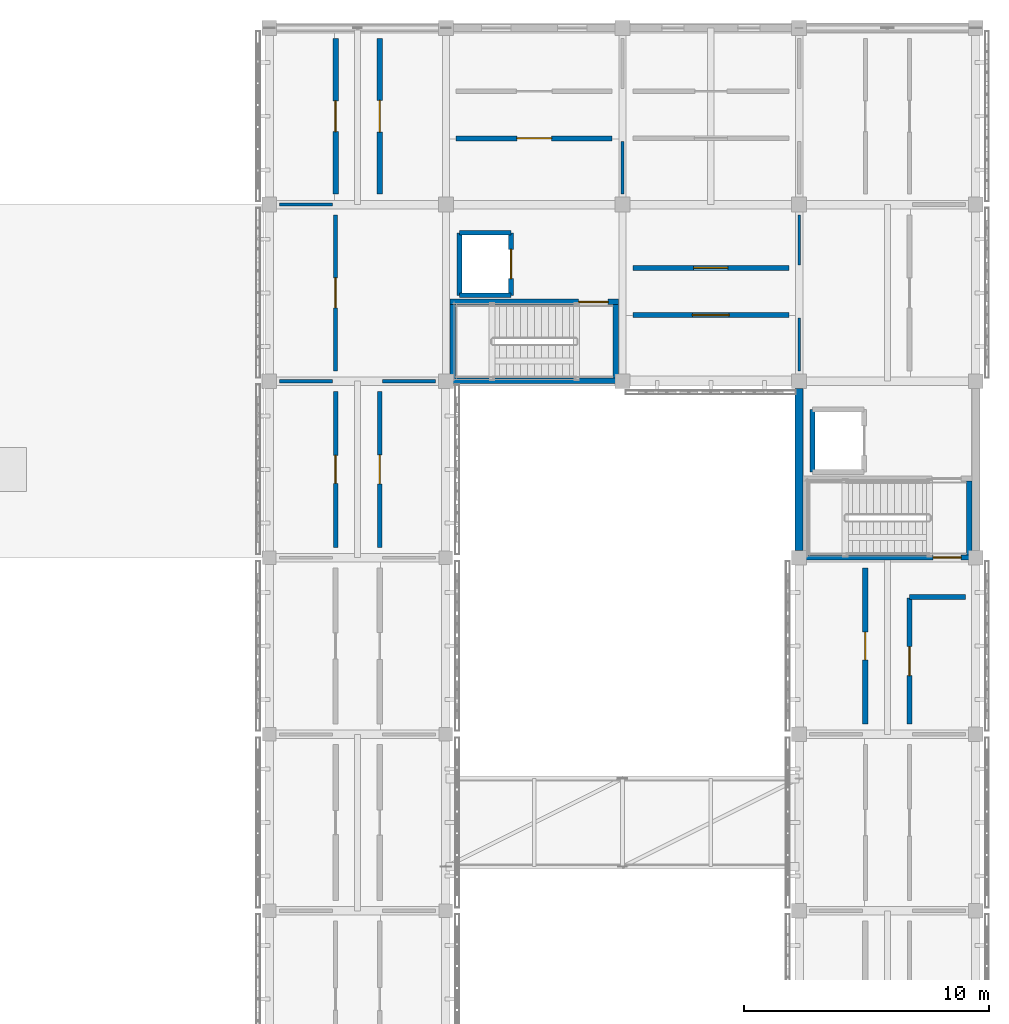
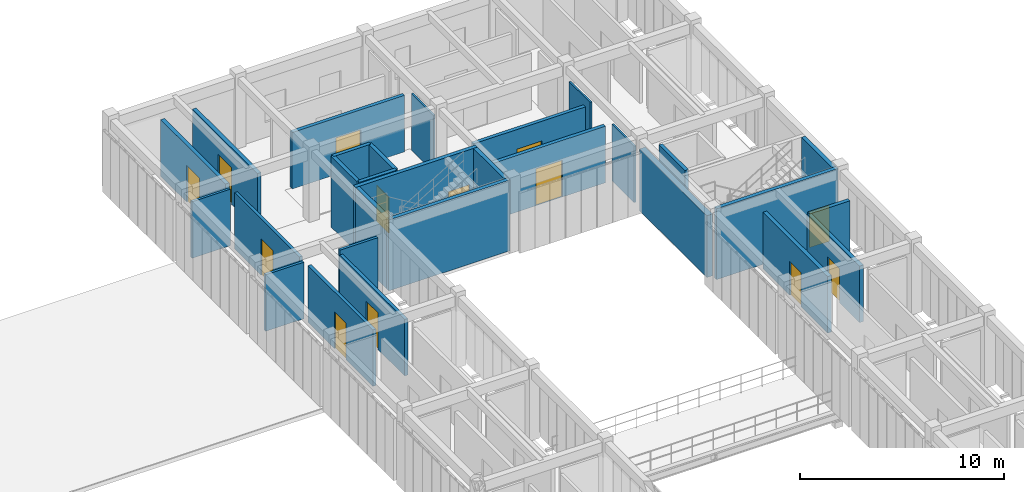
# One storey, part 80 of 91: 29 walls, 13 doors, 13 openings.
"""IFC4 building model written with IfcOpenShell, lengths in metres."""

from ifc_helpers import new_model, si_unit, direction, frame, frame_2d, origin, place, context, subcontext, project, spatial, rectangle, extrude, material, layer, layer_set, type_object, element, fill, save


model = new_model("IFC4")

# Units and contexts
model_context = context("Model", 3, precision=1e-05, world=origin(), true_north=direction((0.0, 1.0)))
body_context = subcontext(model_context, "Body", "Model", "MODEL_VIEW")
ifc_project = project(units=[si_unit("LENGTHUNIT", "METRE"), si_unit("AREAUNIT", "SQUARE_METRE"), si_unit("VOLUMEUNIT", "CUBIC_METRE"), si_unit("PLANEANGLEUNIT", "RADIAN"), si_unit("MASSUNIT", "GRAM", prefix="KILO")], contexts=[model_context])

# Site, building, storey
site_placement = place(None, origin())
site = spatial("IfcSite", under=ifc_project, at=site_placement, CompositionType="ELEMENT")
building_placement = place(site_placement, origin())
building = spatial("IfcBuilding", under=site, at=building_placement, Name="Aldebral Square Health Centre", CompositionType="ELEMENT")
storey_placement = place(building_placement, frame((0.0, 0.0, 9.0)))
storey = spatial("IfcBuildingStorey", under=building, at=storey_placement, Name="L02", CompositionType="ELEMENT", Elevation=9.0)

# Wall
ifc_material_1 = material(Name="Precast concrete C40/50 insulated panel", Category="concrete")
ifc_layer_1 = layer(ifc_material_1, 0.320068359375, Name="Precast concrete C40/50 insulated panel", Category="concrete")
ifc_layer_set_1 = layer_set([ifc_layer_1], Name="Precast concrete C40/50 insulated panel")
wall_type_1 = type_object("IfcWallType", Name="EW-PRE-320", PredefinedType="STANDARD", material=ifc_layer_set_1)
wall_1_placement = place(storey_placement, frame((158.39990234375, 100.5, 0.0), z_axis=(0.0, 0.0, 1.0), x_axis=(0.0, -1.0, 0.0)))
element("IfcWall", 1, at=wall_1_placement, inside=storey, type_object=wall_type_1, Name="L02 V5 exterior wall L02-V5-22-13-W", PredefinedType="STANDARD", context=body_context, shape_type="SweptSolid", body=[
    extrude(rectangle(XDim=6.60009765625, YDim=0.320068359375, at=frame_2d((3.300048828125, 0.0))), origin(), (0.0, 0.0, 1.0), 3.68994140625),
])

# Wall, opening, door
ifc_material_2 = material(Name="Concrete C35/45 compartment wall", Category="concrete")
ifc_layer_2 = layer(ifc_material_2, 0.199951171875, Name="Concrete C35/45 compartment wall", Category="concrete")
ifc_layer_set_2 = layer_set([ifc_layer_2], Name="Concrete C35/45 compartment wall")
wall_type_2 = type_object("IfcWallType", Name="IW-CMP-200", PredefinedType="SOLIDWALL", material=ifc_layer_set_2)
wall_2_placement = place(storey_placement, frame((144.419921875, 110.699951171875, 0.0), z_axis=(0.0, 0.0, 1.0), x_axis=(1.0, 0.0, 0.0)))
wall_2 = element("IfcWall", 2, at=wall_2_placement, inside=storey, type_object=wall_type_2, Name="L02 Ophthalmology Exam Suite 21.16S corridor wall", PredefinedType="SOLIDWALL", context=body_context, shape_type="SweptSolid", body=[
    extrude(rectangle(XDim=6.360107421875, YDim=0.199951171875, at=frame_2d((3.18017578125, 0.0))), origin(), (0.0, 0.0, 1.0), 3.3798828125),
])
opening_1_placement = place(wall_2_placement, frame((2.469970703125, 0.0, 0.0)))
opening_1 = element("IfcOpeningElement", 3, at=opening_1_placement, cuts=wall_2, Name="Opening D-0490", PredefinedType="OPENING", context=body_context, shape_type="SweptSolid", body=[
    extrude(rectangle(XDim=1.419921875, YDim=2.18994140625, at=frame_2d((0.7099609375, 1.094970703125))), frame((0.0, 0.10986328125, 0.0), z_axis=(0.0, -1.0, 0.0), x_axis=(1.0, 0.0, 0.0)), (0.0, 0.0, 1.0), 0.219970703125),
])
ifc_material_3 = material(Name="Clinical suite fire door")
door_type_1 = type_object("IfcDoorType", Name="ID-EXD-61", OperationType="NOTDEFINED", PredefinedType="DOOR", material=ifc_material_3)
door_1_placement = place(opening_1_placement, origin())
door_1 = element("IfcDoor", 4, at=door_1_placement, inside=storey, type_object=door_type_1, Name="L02 Ophthalmology Exam Suite 21.16S door", OperationType="SINGLE_SWING_LEFT", OverallHeight=2.18994140625, OverallWidth=1.419921875, PredefinedType="DOOR", context=body_context, shape_type="SweptSolid", body=[
    extrude(rectangle(XDim=1.419921875, YDim=2.18994140625, at=frame_2d((0.7099609375, 1.094970703125))), frame((0.0, 0.02490234375, 0.0), z_axis=(0.0, -1.0, 0.0), x_axis=(1.0, 0.0, 0.0)), (0.0, 0.0, 1.0), 0.050048828125),
])
fill(opening_1, door_1)

wall_3_placement = place(storey_placement, frame((151.6201171875, 105.419921875, 0.0), z_axis=(0.0, 0.0, 1.0), x_axis=(1.0, 0.0, 0.0)))
wall_3 = element("IfcWall", 5, at=wall_3_placement, inside=storey, type_object=wall_type_2, Name="L02 Specialist Clinic 22.15N corridor wall", PredefinedType="SOLIDWALL", context=body_context, shape_type="SweptSolid", body=[
    extrude(rectangle(XDim=6.35986328125, YDim=0.199951171875, at=frame_2d((3.179931640625, 0.0))), origin(), (0.0, 0.0, 1.0), 3.3798828125),
])
opening_2_placement = place(wall_3_placement, frame((2.47998046875, 0.0, 0.0)))
opening_2 = element("IfcOpeningElement", 6, at=opening_2_placement, cuts=wall_3, Name="Opening D-0495", PredefinedType="OPENING", context=body_context, shape_type="SweptSolid", body=[
    extrude(rectangle(XDim=1.39990234375, YDim=2.199951171875, at=frame_2d((0.699951171875, 1.10009765625))), frame((0.0, 0.10986328125, 0.0), z_axis=(0.0, -1.0, 0.0), x_axis=(1.0, 0.0, 0.0)), (0.0, 0.0, 1.0), 0.219970703125),
])
ifc_material_4 = material(Name="Surgical recovery fire door")
door_type_2 = type_object("IfcDoorType", Name="ID-OR-140", OperationType="NOTDEFINED", PredefinedType="DOOR", material=ifc_material_4)
door_2_placement = place(opening_2_placement, origin())
door_2 = element("IfcDoor", 7, at=door_2_placement, inside=storey, type_object=door_type_2, Name="L02 Specialist Clinic 22.15N door", OperationType="SINGLE_SWING_RIGHT", OverallHeight=2.199951171875, OverallWidth=1.39990234375, PredefinedType="DOOR", context=body_context, shape_type="SweptSolid", body=[
    extrude(rectangle(XDim=1.39990234375, YDim=2.199951171875, at=frame_2d((0.699951171875, 1.10009765625))), frame((0.0, 0.02490234375, 0.0), z_axis=(0.0, -1.0, 0.0), x_axis=(1.0, 0.0, 0.0)), (0.0, 0.0, 1.0), 0.050048828125),
])
fill(opening_2, door_2)

ifc_layer_3 = layer(ifc_material_2, 0.219970703125, Name="Concrete C35/45 compartment wall", Category="concrete")
ifc_layer_set_3 = layer_set([ifc_layer_3], Name="Concrete C35/45 compartment wall")
wall_type_3 = type_object("IfcWallType", Name="IW-CMP-220", PredefinedType="SOLIDWALL", material=ifc_layer_set_3)
wall_4_placement = place(storey_placement, frame((139.5, 108.419921875, 0.0), z_axis=(0.0, 0.0, 1.0), x_axis=(0.0, 1.0, 0.0)))
wall_4 = element("IfcWall", 8, at=wall_4_placement, inside=storey, type_object=wall_type_3, Name="L02 Orthopaedic Cast Clinic 20.16W corridor wall", PredefinedType="SOLIDWALL", context=body_context, shape_type="SweptSolid", body=[
    extrude(rectangle(XDim=6.360107421875, YDim=0.219970703125, at=frame_2d((3.18017578125, 0.0))), origin(), (0.0, 0.0, 1.0), 3.3798828125),
])
opening_3_placement = place(wall_4_placement, frame((2.550048828125, 0.0, 0.0)))
opening_3 = element("IfcOpeningElement", 9, at=opening_3_placement, cuts=wall_4, Name="Opening D-0486", PredefinedType="OPENING", context=body_context, shape_type="SweptSolid", body=[
    extrude(rectangle(XDim=1.260009765625, YDim=2.18994140625, at=frame_2d((0.6298828125, 1.094970703125))), frame((0.0, 0.1201171875, 0.0), z_axis=(0.0, -1.0, 0.0), x_axis=(1.0, 0.0, 0.0)), (0.0, 0.0, 1.0), 0.239990234375),
])
door_type_3 = type_object("IfcDoorType", Name="ID-EXD-57", OperationType="NOTDEFINED", PredefinedType="DOOR", material=ifc_material_3)
door_3_placement = place(opening_3_placement, origin())
door_3 = element("IfcDoor", 10, at=door_3_placement, inside=storey, type_object=door_type_3, Name="L02 Orthopaedic Cast Clinic 20.16W door", OperationType="SINGLE_SWING_LEFT", OverallHeight=2.18994140625, OverallWidth=1.260009765625, PredefinedType="DOOR", context=body_context, shape_type="SweptSolid", body=[
    extrude(rectangle(XDim=1.260009765625, YDim=2.18994140625, at=frame_2d((0.6298828125, 1.094970703125))), frame((0.0, 0.02490234375, 0.0), z_axis=(0.0, -1.0, 0.0), x_axis=(1.0, 0.0, 0.0)), (0.0, 0.0, 1.0), 0.050048828125),
])
fill(opening_3, door_3)

wall_5_placement = place(storey_placement, frame((141.300048828125, 108.419921875, 0.0), z_axis=(0.0, 0.0, 1.0), x_axis=(0.0, 1.0, 0.0)))
wall_5 = element("IfcWall", 11, at=wall_5_placement, inside=storey, type_object=wall_type_3, Name="L02 Clean Linen Store 20.16E corridor wall", PredefinedType="SOLIDWALL", context=body_context, shape_type="SweptSolid", body=[
    extrude(rectangle(XDim=6.360107421875, YDim=0.219970703125, at=frame_2d((3.18017578125, 0.0))), origin(), (0.0, 0.0, 1.0), 3.3798828125),
])
opening_4_placement = place(wall_5_placement, frame((2.530029296875, 0.0, 0.0)))
opening_4 = element("IfcOpeningElement", 12, at=opening_4_placement, cuts=wall_5, Name="Opening D-0487", PredefinedType="OPENING", context=body_context, shape_type="SweptSolid", body=[
    extrude(rectangle(XDim=1.300048828125, YDim=2.18994140625, at=frame_2d((0.64990234375, 1.094970703125))), frame((0.0, 0.1201171875, 0.0), z_axis=(0.0, -1.0, 0.0), x_axis=(1.0, 0.0, 0.0)), (0.0, 0.0, 1.0), 0.239990234375),
])
door_type_4 = type_object("IfcDoorType", Name="ID-EXD-58", OperationType="NOTDEFINED", PredefinedType="DOOR", material=ifc_material_3)
door_4_placement = place(opening_4_placement, origin())
door_4 = element("IfcDoor", 13, at=door_4_placement, inside=storey, type_object=door_type_4, Name="L02 Clean Linen Store 20.16E door", OperationType="SINGLE_SWING_RIGHT", OverallHeight=2.18994140625, OverallWidth=1.300048828125, PredefinedType="DOOR", context=body_context, shape_type="SweptSolid", body=[
    extrude(rectangle(XDim=1.300048828125, YDim=2.18994140625, at=frame_2d((0.64990234375, 1.094970703125))), frame((0.0, 0.02490234375, 0.0), z_axis=(0.0, -1.0, 0.0), x_axis=(1.0, 0.0, 0.0)), (0.0, 0.0, 1.0), 0.050048828125),
])
fill(opening_4, door_4)

wall_6_placement = place(storey_placement, frame((161.10009765625, 86.820068359375, 0.0), z_axis=(0.0, 0.0, 1.0), x_axis=(0.0, 1.0, 0.0)))
wall_6 = element("IfcWall", 14, at=wall_6_placement, inside=storey, type_object=wall_type_3, Name="L02 Orthopaedic Cast Clinic 23.13W corridor wall", PredefinedType="SOLIDWALL", context=body_context, shape_type="SweptSolid", body=[
    extrude(rectangle(XDim=6.35986328125, YDim=0.219970703125, at=frame_2d((3.179931640625, 0.0))), origin(), (0.0, 0.0, 1.0), 3.3798828125),
])
opening_5_placement = place(wall_6_placement, frame((2.610107421875, 0.0, 0.0)))
opening_5 = element("IfcOpeningElement", 15, at=opening_5_placement, cuts=wall_6, Name="Opening D-0504", PredefinedType="OPENING", context=body_context, shape_type="SweptSolid", body=[
    extrude(rectangle(XDim=1.139892578125, YDim=2.0400390625, at=frame_2d((0.56982421875, 1.02001953125))), frame((0.0, 0.1201171875, 0.0), z_axis=(0.0, -1.0, 0.0), x_axis=(1.0, 0.0, 0.0)), (0.0, 0.0, 1.0), 0.239990234375),
])
door_type_5 = type_object("IfcDoorType", Name="ID-EXD-06", OperationType="NOTDEFINED", PredefinedType="DOOR", material=ifc_material_3)
door_5_placement = place(opening_5_placement, origin())
door_5 = element("IfcDoor", 16, at=door_5_placement, inside=storey, type_object=door_type_5, Name="L02 Orthopaedic Cast Clinic 23.13W door", OperationType="SINGLE_SWING_LEFT", OverallHeight=2.0400390625, OverallWidth=1.139892578125, PredefinedType="DOOR", context=body_context, shape_type="SweptSolid", body=[
    extrude(rectangle(XDim=1.139892578125, YDim=2.0400390625, at=frame_2d((0.56982421875, 1.02001953125))), frame((0.0, 0.02490234375, 0.0), z_axis=(0.0, -1.0, 0.0), x_axis=(1.0, 0.0, 0.0)), (0.0, 0.0, 1.0), 0.050048828125),
])
fill(opening_5, door_5)

wall_7_placement = place(storey_placement, frame((162.89990234375, 86.820068359375, 0.0), z_axis=(0.0, 0.0, 1.0), x_axis=(0.0, 1.0, 0.0)))
wall_7 = element("IfcWall", 17, at=wall_7_placement, inside=storey, type_object=wall_type_3, Name="L02 Clean Linen Store 23.13E corridor wall", PredefinedType="SOLIDWALL", context=body_context, shape_type="SweptSolid", body=[
    extrude(rectangle(XDim=5.1298828125, YDim=0.219970703125, at=frame_2d((2.56494140625, 0.0))), origin(), (0.0, 0.0, 1.0), 3.3798828125),
])
opening_6_placement = place(wall_7_placement, frame((1.97509765625, 0.0, 0.0)))
opening_6 = element("IfcOpeningElement", 18, at=opening_6_placement, cuts=wall_7, Name="Opening D-0505", PredefinedType="OPENING", context=body_context, shape_type="SweptSolid", body=[
    extrude(rectangle(XDim=1.179931640625, YDim=2.0400390625, at=frame_2d((0.58984375, 1.02001953125))), frame((0.0, 0.1201171875, 0.0), z_axis=(0.0, -1.0, 0.0), x_axis=(1.0, 0.0, 0.0)), (0.0, 0.0, 1.0), 0.239990234375),
])
door_type_6 = type_object("IfcDoorType", Name="ID-EXD-07", OperationType="NOTDEFINED", PredefinedType="DOOR", material=ifc_material_3)
door_6_placement = place(opening_6_placement, origin())
door_6 = element("IfcDoor", 19, at=door_6_placement, inside=storey, type_object=door_type_6, Name="L02 Clean Linen Store 23.13E door", OperationType="SINGLE_SWING_RIGHT", OverallHeight=2.0400390625, OverallWidth=1.179931640625, PredefinedType="DOOR", context=body_context, shape_type="SweptSolid", body=[
    extrude(rectangle(XDim=1.179931640625, YDim=2.0400390625, at=frame_2d((0.58984375, 1.02001953125))), frame((0.0, 0.02490234375, 0.0), z_axis=(0.0, -1.0, 0.0), x_axis=(1.0, 0.0, 0.0)), (0.0, 0.0, 1.0), 0.050048828125),
])
fill(opening_6, door_6)

ifc_material_5 = material(Name="Fire-rated acoustic gypsum partition")
ifc_layer_4 = layer(ifc_material_5, 0.1650390625, Name="Fire-rated acoustic gypsum partition")
ifc_layer_set_4 = layer_set([ifc_layer_4], Name="Fire-rated acoustic gypsum partition")
wall_type_4 = type_object("IfcWallType", Name="IW-COR-165", PredefinedType="PARTITIONING", material=ifc_layer_set_4)
wall_8_placement = place(storey_placement, frame((139.5, 101.219970703125, 0.0), z_axis=(0.0, 0.0, 1.0), x_axis=(0.0, 1.0, 0.0)))
wall_8 = element("IfcWall", 20, at=wall_8_placement, inside=storey, type_object=wall_type_4, Name="L02 Dermatology Procedure Clinic 20.15W corridor wall", PredefinedType="PARTITIONING", context=body_context, shape_type="SweptSolid", body=[
    extrude(rectangle(XDim=6.360107421875, YDim=0.1650390625, at=frame_2d((3.18017578125, 0.0))), origin(), (0.0, 0.0, 1.0), 3.3798828125),
])
opening_7_placement = place(wall_8_placement, frame((2.570068359375, 0.0, 0.0)))
opening_7 = element("IfcOpeningElement", 21, at=opening_7_placement, cuts=wall_8, Name="Opening D-0485", PredefinedType="OPENING", context=body_context, shape_type="SweptSolid", body=[
    extrude(rectangle(XDim=1.219970703125, YDim=2.18994140625, at=frame_2d((0.60986328125, 1.094970703125))), frame((0.0, 0.092529296875, 0.0), z_axis=(0.0, -1.0, 0.0), x_axis=(1.0, 0.0, 0.0)), (0.0, 0.0, 1.0), 0.18505859375),
])
door_type_7 = type_object("IfcDoorType", Name="ID-EXD-56", OperationType="NOTDEFINED", PredefinedType="DOOR", material=ifc_material_3)
door_7_placement = place(opening_7_placement, origin())
door_7 = element("IfcDoor", 22, at=door_7_placement, inside=storey, type_object=door_type_7, Name="L02 Dermatology Procedure Clinic 20.15W door", OperationType="SINGLE_SWING_RIGHT", OverallHeight=2.18994140625, OverallWidth=1.219970703125, PredefinedType="DOOR", context=body_context, shape_type="SweptSolid", body=[
    extrude(rectangle(XDim=1.219970703125, YDim=2.18994140625, at=frame_2d((0.60986328125, 1.094970703125))), frame((0.0, 0.02490234375, 0.0), z_axis=(0.0, -1.0, 0.0), x_axis=(1.0, 0.0, 0.0)), (0.0, 0.0, 1.0), 0.050048828125),
])
fill(opening_7, door_7)

ifc_layer_5 = layer(ifc_material_5, 0.179931640625, Name="Fire-rated acoustic gypsum partition")
ifc_layer_set_5 = layer_set([ifc_layer_5], Name="Fire-rated acoustic gypsum partition")
wall_type_5 = type_object("IfcWallType", Name="IW-COR-180", PredefinedType="PARTITIONING", material=ifc_layer_set_5)
wall_9_placement = place(storey_placement, frame((139.5, 94.02001953125, 0.0), z_axis=(0.0, 0.0, 1.0), x_axis=(0.0, 1.0, 0.0)))
wall_9 = element("IfcWall", 23, at=wall_9_placement, inside=storey, type_object=wall_type_5, Name="L02 Specialist Clinic 20.14W corridor wall", PredefinedType="PARTITIONING", context=body_context, shape_type="SweptSolid", body=[
    extrude(rectangle(XDim=6.35986328125, YDim=0.179931640625, at=frame_2d((3.179931640625, 0.0))), origin(), (0.0, 0.0, 1.0), 3.3798828125),
])
opening_8_placement = place(wall_9_placement, frame((2.610107421875, 0.0, 0.0)))
opening_8 = element("IfcOpeningElement", 24, at=opening_8_placement, cuts=wall_9, Name="Opening D-0483", PredefinedType="OPENING", context=body_context, shape_type="SweptSolid", body=[
    extrude(rectangle(XDim=1.139892578125, YDim=2.18994140625, at=frame_2d((0.56982421875, 1.094970703125))), frame((0.0, 0.10009765625, 0.0), z_axis=(0.0, -1.0, 0.0), x_axis=(1.0, 0.0, 0.0)), (0.0, 0.0, 1.0), 0.199951171875),
])
door_type_8 = type_object("IfcDoorType", Name="ID-EXD-54", OperationType="NOTDEFINED", PredefinedType="DOOR", material=ifc_material_3)
door_8_placement = place(opening_8_placement, origin())
door_8 = element("IfcDoor", 25, at=door_8_placement, inside=storey, type_object=door_type_8, Name="L02 Specialist Clinic 20.14W door", OperationType="SINGLE_SWING_RIGHT", OverallHeight=2.18994140625, OverallWidth=1.139892578125, PredefinedType="DOOR", context=body_context, shape_type="SweptSolid", body=[
    extrude(rectangle(XDim=1.139892578125, YDim=2.18994140625, at=frame_2d((0.56982421875, 1.094970703125))), frame((0.0, 0.02490234375, 0.0), z_axis=(0.0, -1.0, 0.0), x_axis=(1.0, 0.0, 0.0)), (0.0, 0.0, 1.0), 0.050048828125),
])
fill(opening_8, door_8)

wall_10_placement = place(storey_placement, frame((141.300048828125, 94.02001953125, 0.0), z_axis=(0.0, 0.0, 1.0), x_axis=(0.0, 1.0, 0.0)))
wall_10 = element("IfcWall", 26, at=wall_10_placement, inside=storey, type_object=wall_type_5, Name="L02 Ophthalmology Exam Suite 20.14E corridor wall", PredefinedType="PARTITIONING", context=body_context, shape_type="SweptSolid", body=[
    extrude(rectangle(XDim=6.35986328125, YDim=0.179931640625, at=frame_2d((3.179931640625, 0.0))), origin(), (0.0, 0.0, 1.0), 3.3798828125),
])
opening_9_placement = place(wall_10_placement, frame((2.590087890625, 0.0, 0.0)))
opening_9 = element("IfcOpeningElement", 27, at=opening_9_placement, cuts=wall_10, Name="Opening D-0484", PredefinedType="OPENING", context=body_context, shape_type="SweptSolid", body=[
    extrude(rectangle(XDim=1.179931640625, YDim=2.18994140625, at=frame_2d((0.58984375, 1.094970703125))), frame((0.0, 0.10009765625, 0.0), z_axis=(0.0, -1.0, 0.0), x_axis=(1.0, 0.0, 0.0)), (0.0, 0.0, 1.0), 0.199951171875),
])
door_type_9 = type_object("IfcDoorType", Name="ID-EXD-55", OperationType="NOTDEFINED", PredefinedType="DOOR", material=ifc_material_3)
door_9_placement = place(opening_9_placement, origin())
door_9 = element("IfcDoor", 28, at=door_9_placement, inside=storey, type_object=door_type_9, Name="L02 Ophthalmology Exam Suite 20.14E door", OperationType="SINGLE_SWING_LEFT", OverallHeight=2.18994140625, OverallWidth=1.179931640625, PredefinedType="DOOR", context=body_context, shape_type="SweptSolid", body=[
    extrude(rectangle(XDim=1.179931640625, YDim=2.18994140625, at=frame_2d((0.58984375, 1.094970703125))), frame((0.0, 0.02490234375, 0.0), z_axis=(0.0, -1.0, 0.0), x_axis=(1.0, 0.0, 0.0)), (0.0, 0.0, 1.0), 0.050048828125),
])
fill(opening_9, door_9)

ifc_material_6 = material(Name="Concrete C40/50", Category="concrete")
ifc_layer_6 = layer(ifc_material_6, 0.219970703125, Name="Concrete C40/50", Category="concrete")
ifc_layer_set_6 = layer_set([ifc_layer_6], Name="Concrete C40/50")
wall_type_6 = type_object("IfcWallType", Name="IW-CORE-280", PredefinedType="SHEAR", material=ifc_layer_set_6)
wall_11_placement = place(storey_placement, frame((158.56005859375, 93.610107421875, 0.0), z_axis=(0.0, 0.0, 1.0), x_axis=(1.0, 0.0, 0.0)))
wall_11 = element("IfcWall", 29, at=wall_11_placement, inside=storey, type_object=wall_type_6, Name="L02 WC-C3 shaft wall S", PredefinedType="SHEAR", context=body_context, shape_type="SweptSolid", body=[
    extrude(rectangle(XDim=6.8798828125, YDim=0.219970703125, at=frame_2d((3.43994140625, 0.0))), origin(), (0.0, 0.0, 1.0), 4.239990234375),
])
opening_10_placement = place(wall_11_placement, frame((5.300048828125, 0.0, 0.0)))
opening_10 = element("IfcOpeningElement", 30, at=opening_10_placement, cuts=wall_11, Name="Opening D-0037", PredefinedType="OPENING", context=body_context, shape_type="SweptSolid", body=[
    extrude(rectangle(XDim=1.14990234375, YDim=2.14990234375, at=frame_2d((0.574951171875, 1.074951171875))), frame((0.0, 0.1201171875, 0.0), z_axis=(0.0, -1.0, 0.0), x_axis=(1.0, 0.0, 0.0)), (0.0, 0.0, 1.0), 0.239990234375),
])
ifc_material_7 = material(Name="Fire-rated steel lobby stair door", Category="steel")
door_type_10 = type_object("IfcDoorType", Name="ID-ST-115", OperationType="NOTDEFINED", PredefinedType="DOOR", material=ifc_material_7)
door_10_placement = place(opening_10_placement, origin())
door_10 = element("IfcDoor", 31, at=door_10_placement, inside=storey, type_object=door_type_10, Name="L02 ST-03 south lobby fire door", OperationType="SINGLE_SWING_LEFT", OverallHeight=2.14990234375, OverallWidth=1.14990234375, PredefinedType="DOOR", context=body_context, shape_type="SweptSolid", body=[
    extrude(rectangle(XDim=1.14990234375, YDim=2.14990234375, at=frame_2d((0.574951171875, 1.074951171875))), frame((0.0, 0.02490234375, 0.0), z_axis=(0.0, -1.0, 0.0), x_axis=(1.0, 0.0, 0.0)), (0.0, 0.0, 1.0), 0.050048828125),
])
fill(opening_10, door_10)

# Walls
wall_12_placement = place(storey_placement, frame((165.330078125, 93.719970703125, 0.0), z_axis=(0.0, 0.0, 1.0), x_axis=(0.0, 1.0, 0.0)))
element("IfcWall", 32, at=wall_12_placement, inside=storey, type_object=wall_type_6, Name="L02 WC-C3 shaft wall E", PredefinedType="SHEAR", context=body_context, shape_type="SweptSolid", body=[
    extrude(rectangle(XDim=3.0, YDim=0.219970703125, at=frame_2d((1.5, 0.0))), origin(), (0.0, 0.0, 1.0), 4.239990234375),
])
wall_13_placement = place(storey_placement, frame((144.159912109375, 100.81005859375, 0.0), z_axis=(0.0, 0.0, 1.0), x_axis=(1.0, 0.0, 0.0)))
element("IfcWall", 33, at=wall_13_placement, inside=storey, type_object=wall_type_6, Name="L02 WC-C4 shaft wall S", PredefinedType="SHEAR", context=body_context, shape_type="SweptSolid", body=[
    extrude(rectangle(XDim=6.880126953125, YDim=0.219970703125, at=frame_2d((3.43994140625, 0.0))), origin(), (0.0, 0.0, 1.0), 4.239990234375),
])

# Wall, opening, door
wall_14_placement = place(storey_placement, frame((144.159912109375, 104.030029296875, 0.0), z_axis=(0.0, 0.0, 1.0), x_axis=(1.0, 0.0, 0.0)))
wall_14 = element("IfcWall", 34, at=wall_14_placement, inside=storey, type_object=wall_type_6, Name="L02 WC-C4 shaft wall N", PredefinedType="SHEAR", context=body_context, shape_type="SweptSolid", body=[
    extrude(rectangle(XDim=6.880126953125, YDim=0.219970703125, at=frame_2d((3.43994140625, 0.0))), origin(), (0.0, 0.0, 1.0), 4.239990234375),
])
opening_11_placement = place(wall_14_placement, frame((5.25, 0.0, 0.0)))
opening_11 = element("IfcOpeningElement", 35, at=opening_11_placement, cuts=wall_14, Name="Opening D-0048", PredefinedType="OPENING", context=body_context, shape_type="SweptSolid", body=[
    extrude(rectangle(XDim=1.199951171875, YDim=2.14990234375, at=frame_2d((0.60009765625, 1.074951171875))), frame((0.0, 0.1201171875, 0.0), z_axis=(0.0, -1.0, 0.0), x_axis=(1.0, 0.0, 0.0)), (0.0, 0.0, 1.0), 0.239990234375),
])
ifc_material_8 = material(Name="Fire-rated steel stair door", Category="steel")
door_type_11 = type_object("IfcDoorType", Name="ID-ST-120", OperationType="NOTDEFINED", PredefinedType="DOOR", material=ifc_material_8)
door_11_placement = place(opening_11_placement, origin())
door_11 = element("IfcDoor", 36, at=door_11_placement, inside=storey, type_object=door_type_11, Name="L02 ST-04 fire door", OperationType="SINGLE_SWING_RIGHT", OverallHeight=2.14990234375, OverallWidth=1.199951171875, PredefinedType="DOOR", context=body_context, shape_type="SweptSolid", body=[
    extrude(rectangle(XDim=1.199951171875, YDim=2.14990234375, at=frame_2d((0.60009765625, 1.074951171875))), frame((0.0, 0.02490234375, 0.0), z_axis=(0.0, -1.0, 0.0), x_axis=(1.0, 0.0, 0.0)), (0.0, 0.0, 1.0), 0.050048828125),
])
fill(opening_11, door_11)

# Walls
for number, where, z_axis, x_axis, name in (
    (37, (144.27001953125, 100.919921875, 0.0), (0.0, 0.0, 1.0), (0.0, 1.0, 0.0), "L02 WC-C4 shaft wall W"),
    (38, (150.929931640625, 100.919921875, 0.0), (0.0, 0.0, 1.0), (0.0, 1.0, 0.0), "L02 WC-C4 shaft wall E"),
):
    element("IfcWall", number, at=place(storey_placement, frame(where, z_axis=z_axis, x_axis=x_axis)), inside=storey, type_object=wall_type_6, Name=name, PredefinedType="SHEAR", context=body_context, shape_type="SweptSolid", body=[
        extrude(rectangle(XDim=3.0, YDim=0.219970703125, at=frame_2d((1.5, 0.0))), origin(), (0.0, 0.0, 1.0), 4.239990234375),
    ])
ifc_layer_7 = layer(ifc_material_6, 0.199951171875, Name="Concrete C40/50", Category="concrete")
ifc_layer_set_7 = layer_set([ifc_layer_7], Name="Concrete C40/50")
wall_type_7 = type_object("IfcWallType", Name="IW-LFT-250", PredefinedType="SHEAR", material=ifc_layer_set_7)
wall_15_placement = place(storey_placement, frame((158.949951171875, 97.10009765625, 0.0), z_axis=(0.0, 0.0, 1.0), x_axis=(0.0, 1.0, 0.0)))
element("IfcWall", 39, at=wall_15_placement, inside=storey, type_object=wall_type_7, Name="L02 LF-03 shaft wall W", PredefinedType="SHEAR", context=body_context, shape_type="SweptSolid", body=[
    extrude(rectangle(XDim=2.5498046875, YDim=0.199951171875, at=frame_2d((1.27490234375, 0.0))), origin(), (0.0, 0.0, 1.0), 4.239990234375),
])
wall_16_placement = place(storey_placement, frame((144.550048828125, 104.300048828125, 0.0), z_axis=(0.0, 0.0, 1.0), x_axis=(1.0, 0.0, 0.0)))
element("IfcWall", 40, at=wall_16_placement, inside=storey, type_object=wall_type_7, Name="L02 LF-04 shaft wall S", PredefinedType="SHEAR", context=body_context, shape_type="SweptSolid", body=[
    extrude(rectangle(XDim=2.099853515625, YDim=0.199951171875, at=frame_2d((1.0498046875, 0.0))), origin(), (0.0, 0.0, 1.0), 4.239990234375),
])
wall_17_placement = place(storey_placement, frame((144.550048828125, 104.300048828125, 0.0), z_axis=(0.0, 0.0, 1.0), x_axis=(0.0, 1.0, 0.0)))
element("IfcWall", 41, at=wall_17_placement, inside=storey, type_object=wall_type_7, Name="L02 LF-04 shaft wall W", PredefinedType="SHEAR", context=body_context, shape_type="SweptSolid", body=[
    extrude(rectangle(XDim=2.550048828125, YDim=0.199951171875, at=frame_2d((1.27490234375, 0.0))), origin(), (0.0, 0.0, 1.0), 4.239990234375),
])
wall_18_placement = place(storey_placement, frame((144.550048828125, 106.85009765625, 0.0), z_axis=(0.0, 0.0, 1.0), x_axis=(1.0, 0.0, 0.0)))
element("IfcWall", 42, at=wall_18_placement, inside=storey, type_object=wall_type_7, Name="L02 LF-04 shaft wall N", PredefinedType="SHEAR", context=body_context, shape_type="SweptSolid", body=[
    extrude(rectangle(XDim=2.099853515625, YDim=0.199951171875, at=frame_2d((1.0498046875, 0.0))), origin(), (0.0, 0.0, 1.0), 4.239990234375),
])

# Wall, opening, door
wall_19_placement = place(storey_placement, frame((146.64990234375, 104.300048828125, 0.0), z_axis=(0.0, 0.0, 1.0), x_axis=(0.0, 1.0, 0.0)))
wall_19 = element("IfcWall", 43, at=wall_19_placement, inside=storey, type_object=wall_type_7, Name="L02 LF-04 landing wall", PredefinedType="SHEAR", context=body_context, shape_type="SweptSolid", body=[
    extrude(rectangle(XDim=2.550048828125, YDim=0.199951171875, at=frame_2d((1.27490234375, 0.0))), origin(), (0.0, 0.0, 1.0), 4.239990234375),
])
opening_12_placement = place(wall_19_placement, frame((0.675048828125, 0.0, 0.0)))
opening_12 = element("IfcOpeningElement", 44, at=opening_12_placement, cuts=wall_19, Name="Opening D-0049", PredefinedType="OPENING", context=body_context, shape_type="SweptSolid", body=[
    extrude(rectangle(XDim=1.199951171875, YDim=2.14990234375, at=frame_2d((0.60009765625, 1.074951171875))), frame((0.0, 0.10986328125, 0.0), z_axis=(0.0, -1.0, 0.0), x_axis=(1.0, 0.0, 0.0)), (0.0, 0.0, 1.0), 0.219970703125),
])
ifc_material_9 = material(Name="Stainless steel passenger lift landing door", Category="steel")
door_type_12 = type_object("IfcDoorType", Name="ID-LD-120", OperationType="SLIDING_TO_LEFT", PredefinedType="DOOR", material=ifc_material_9)
door_12_placement = place(opening_12_placement, origin())
door_12 = element("IfcDoor", 45, at=door_12_placement, inside=storey, type_object=door_type_12, Name="L02 LF-04 sliding landing door", OperationType="SLIDING_TO_LEFT", OverallHeight=2.14990234375, OverallWidth=1.199951171875, PredefinedType="DOOR", context=body_context, shape_type="SweptSolid", body=[
    extrude(rectangle(XDim=1.199951171875, YDim=2.14990234375, at=frame_2d((0.60009765625, 1.074951171875))), frame((0.0, 0.02490234375, 0.0), z_axis=(0.0, -1.0, 0.0), x_axis=(1.0, 0.0, 0.0)), (0.0, 0.0, 1.0), 0.050048828125),
])
fill(opening_12, door_12)

ifc_material_10 = material(Name="Moisture-resistant sanitary chase wall")
ifc_layer_8 = layer(ifc_material_10, 0.2099609375, Name="Moisture-resistant sanitary chase wall")
ifc_layer_set_8 = layer_set([ifc_layer_8], Name="Moisture-resistant sanitary chase wall")
wall_type_8 = type_object("IfcWallType", Name="IW-PLB-210", PredefinedType="PLUMBINGWALL", material=ifc_layer_set_8)
wall_20_placement = place(storey_placement, frame((151.6201171875, 103.5, 0.0), z_axis=(0.0, 0.0, 1.0), x_axis=(1.0, 0.0, 0.0)))
wall_20 = element("IfcWall", 46, at=wall_20_placement, inside=storey, type_object=wall_type_8, Name="L02 Accessible WC 22.15S corridor wall", PredefinedType="PLUMBINGWALL", context=body_context, shape_type="SweptSolid", body=[
    extrude(rectangle(XDim=6.35986328125, YDim=0.2099609375, at=frame_2d((3.179931640625, 0.0))), origin(), (0.0, 0.0, 1.0), 3.3798828125),
])
opening_13_placement = place(wall_20_placement, frame((2.429931640625, 0.0, 0.0)))
opening_13 = element("IfcOpeningElement", 47, at=opening_13_placement, cuts=wall_20, Name="Opening D-0494", PredefinedType="OPENING", context=body_context, shape_type="SweptSolid", body=[
    extrude(rectangle(XDim=1.5, YDim=2.199951171875, at=frame_2d((0.75, 1.10009765625))), frame((0.0, 0.114990234375, 0.0), z_axis=(0.0, -1.0, 0.0), x_axis=(1.0, 0.0, 0.0)), (0.0, 0.0, 1.0), 0.22998046875),
])
ifc_material_11 = material(Name="Surgical suite double-leaf fire door")
door_type_13 = type_object("IfcDoorType", Name="ID-OR-150", OperationType="NOTDEFINED", PredefinedType="DOOR", material=ifc_material_11)
door_13_placement = place(opening_13_placement, origin())
door_13 = element("IfcDoor", 48, at=door_13_placement, inside=storey, type_object=door_type_13, Name="L02 Accessible WC 22.15S door", OperationType="SINGLE_SWING_LEFT", OverallHeight=2.199951171875, OverallWidth=1.5, PredefinedType="DOOR", context=body_context, shape_type="SweptSolid", body=[
    extrude(rectangle(XDim=1.5, YDim=2.199951171875, at=frame_2d((0.75, 1.10009765625))), frame((0.0, 0.02490234375, 0.0), z_axis=(0.0, -1.0, 0.0), x_axis=(1.0, 0.0, 0.0)), (0.0, 0.0, 1.0), 0.050048828125),
])
fill(opening_13, door_13)

# Walls
wall_21_placement = place(storey_placement, frame((162.89990234375, 92.0, 0.0), z_axis=(0.0, 0.0, 1.0), x_axis=(1.0, 0.0, 0.0)))
element("IfcWall", 49, at=wall_21_placement, inside=storey, type_object=wall_type_8, Name="L02 Clean Linen Store 23.13E lobby return wall", PredefinedType="PLUMBINGWALL", context=body_context, shape_type="SweptSolid", body=[
    extrude(rectangle(XDim=2.280029296875, YDim=0.2099609375, at=frame_2d((1.14013671875, 0.0))), origin(), (0.0, 0.0, 1.0), 3.3798828125),
])
ifc_material_12 = material(Name="Lightweight clinical partition")
ifc_layer_9 = layer(ifc_material_12, 0.10498046875, Name="Lightweight clinical partition")
ifc_layer_set_9 = layer_set([ifc_layer_9], Name="Lightweight clinical partition")
wall_type_9 = type_object("IfcWallType", Name="IW-PRT-105", PredefinedType="PARTITIONING", material=ifc_layer_set_9)
wall_22_placement = place(storey_placement, frame((151.199951171875, 108.419921875, 0.0), z_axis=(0.0, 0.0, 1.0), x_axis=(0.0, 1.0, 0.0)))
element("IfcWall", 50, at=wall_22_placement, inside=storey, type_object=wall_type_9, Name="L02 Ophthalmology Exam Suite 21.16S demising partition", PredefinedType="PARTITIONING", context=body_context, shape_type="SweptSolid", body=[
    extrude(rectangle(XDim=2.16015625, YDim=0.10498046875, at=frame_2d((1.080078125, 0.0))), origin(), (0.0, 0.0, 1.0), 3.3798828125),
])
wall_23_placement = place(storey_placement, frame((158.39990234375, 101.219970703125, 0.0), z_axis=(0.0, 0.0, 1.0), x_axis=(0.0, 1.0, 0.0)))
element("IfcWall", 51, at=wall_23_placement, inside=storey, type_object=wall_type_9, Name="L02 Accessible WC 22.15S demising partition", PredefinedType="PARTITIONING", context=body_context, shape_type="SweptSolid", body=[
    extrude(rectangle(XDim=2.159912109375, YDim=0.10498046875, at=frame_2d((1.080078125, 0.0))), origin(), (0.0, 0.0, 1.0), 3.3798828125),
])
wall_24_placement = place(storey_placement, frame((158.39990234375, 105.5400390625, 0.0), z_axis=(0.0, 0.0, 1.0), x_axis=(0.0, 1.0, 0.0)))
element("IfcWall", 52, at=wall_24_placement, inside=storey, type_object=wall_type_9, Name="L02 Specialist Clinic 22.15N demising partition", PredefinedType="PARTITIONING", context=body_context, shape_type="SweptSolid", body=[
    extrude(rectangle(XDim=2.0400390625, YDim=0.10498046875, at=frame_2d((1.02001953125, 0.0))), origin(), (0.0, 0.0, 1.0), 3.3798828125),
])
ifc_material_13 = material(Name="Acoustic clinical gypsum partition")
ifc_layer_10 = layer(ifc_material_13, 0.135009765625, Name="Acoustic clinical gypsum partition")
ifc_layer_set_10 = layer_set([ifc_layer_10], Name="Acoustic clinical gypsum partition")
wall_type_10 = type_object("IfcWallType", Name="IW-PRT-135", PredefinedType="PARTITIONING", material=ifc_layer_set_10)
wall_25_placement = place(storey_placement, frame((137.219970703125, 108.0, 0.0), z_axis=(0.0, 0.0, 1.0), x_axis=(1.0, 0.0, 0.0)))
element("IfcWall", 53, at=wall_25_placement, inside=storey, type_object=wall_type_10, Name="L02 Dermatology Procedure Clinic 20.15W demising partition", PredefinedType="PARTITIONING", context=body_context, shape_type="SweptSolid", body=[
    extrude(rectangle(XDim=2.159912109375, YDim=0.135009765625, at=frame_2d((1.080078125, 0.0))), origin(), (0.0, 0.0, 1.0), 3.3798828125),
])
ifc_layer_11 = layer(ifc_material_13, 0.14990234375, Name="Acoustic clinical gypsum partition")
ifc_layer_set_11 = layer_set([ifc_layer_11], Name="Acoustic clinical gypsum partition")
wall_type_11 = type_object("IfcWallType", Name="IW-PRT-150", PredefinedType="PARTITIONING", material=ifc_layer_set_11)
wall_26_placement = place(storey_placement, frame((137.219970703125, 100.800048828125, 0.0), z_axis=(0.0, 0.0, 1.0), x_axis=(1.0, 0.0, 0.0)))
element("IfcWall", 54, at=wall_26_placement, inside=storey, type_object=wall_type_11, Name="L02 Specialist Clinic 20.14W demising partition", PredefinedType="PARTITIONING", context=body_context, shape_type="SweptSolid", body=[
    extrude(rectangle(XDim=2.159912109375, YDim=0.14990234375, at=frame_2d((1.080078125, 0.0))), origin(), (0.0, 0.0, 1.0), 3.3798828125),
])
wall_27_placement = place(storey_placement, frame((141.419921875, 100.800048828125, 0.0), z_axis=(0.0, 0.0, 1.0), x_axis=(1.0, 0.0, 0.0)))
element("IfcWall", 55, at=wall_27_placement, inside=storey, type_object=wall_type_11, Name="L02 Ophthalmology Exam Suite 20.14E demising partition", PredefinedType="PARTITIONING", context=body_context, shape_type="SweptSolid", body=[
    extrude(rectangle(XDim=2.16015625, YDim=0.14990234375, at=frame_2d((1.080078125, 0.0))), origin(), (0.0, 0.0, 1.0), 3.3798828125),
])

save(model, "model.ifc")
